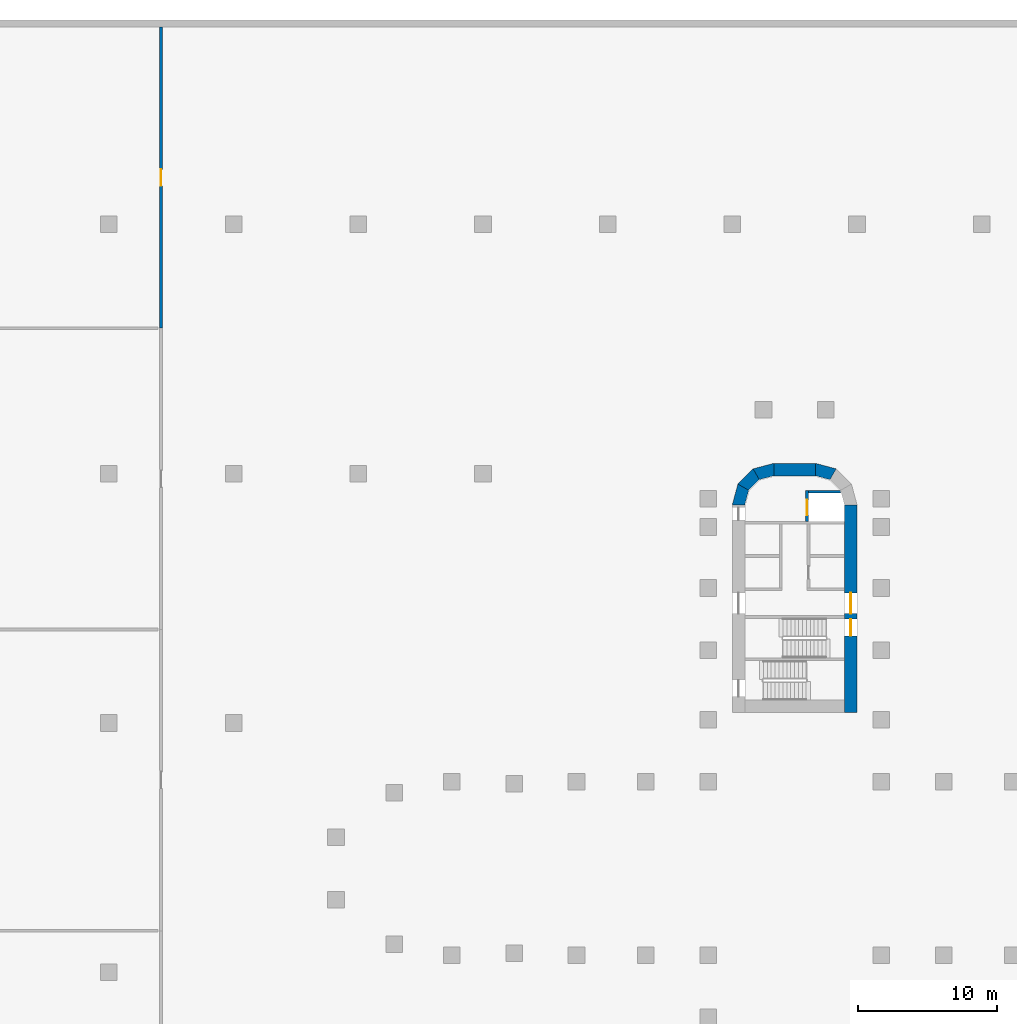
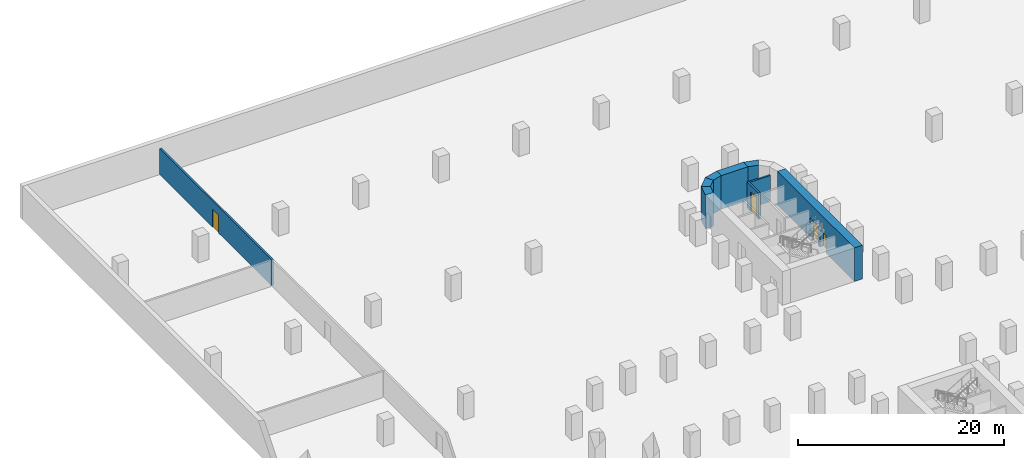
# One storey, part 9 of 11: 9 walls, 4 doors, 4 openings.
"""IFC4 building model written with IfcOpenShell, lengths in metres."""

from ifc_helpers import new_model, si_unit, direction, frame, frame_2d, origin, place, context, subcontext, project, spatial, polyline, rectangle, outline, extrude, material, layer, layer_set, type_object, element, fill, save


model = new_model("IFC4")

# Units and contexts
model_context = context("Model", 3, precision=1e-05, world=origin(), true_north=direction((0.0, 1.0)))
body_context = subcontext(model_context, "Body", "Model", "MODEL_VIEW")
ifc_project = project(units=[si_unit("LENGTHUNIT", "METRE"), si_unit("AREAUNIT", "SQUARE_METRE"), si_unit("VOLUMEUNIT", "CUBIC_METRE"), si_unit("PLANEANGLEUNIT", "RADIAN"), si_unit("MASSUNIT", "GRAM", prefix="KILO")], contexts=[model_context])

# Site, building, storey
site_placement = place(None, origin())
site = spatial("IfcSite", under=ifc_project, at=site_placement, CompositionType="ELEMENT")
building_placement = place(site_placement, origin())
building = spatial("IfcBuilding", under=site, at=building_placement, Name="Zarbagh Exchange Tower", CompositionType="ELEMENT")
storey_placement = place(building_placement, frame((0.0, 0.0, -4.0)))
storey = spatial("IfcBuildingStorey", under=building, at=storey_placement, Name="B1", CompositionType="ELEMENT", Elevation=-4.0)

# Wall, opening, door
ifc_material_1 = material(Name="Concrete block partition", Category="concrete")
ifc_layer_1 = layer(ifc_material_1, 0.199951171875)
ifc_layer_set_1 = layer_set([ifc_layer_1], Name="Fire-rated block partition 200 EI 120")
wall_type_1 = type_object("IfcWallType", Name="Fire-rated block partition 200 EI 120", PredefinedType="PARTITIONING", material=ifc_layer_set_1)
wall_1_placement = place(storey_placement, frame((-45.75, 39.0, 0.0), z_axis=(0.0, 0.0, 1.0), x_axis=(0.0, 1.0, 0.0)))
wall_1 = element("IfcWall", 1, at=wall_1_placement, inside=storey, type_object=wall_type_1, Name="WL-B1-W006", PredefinedType="PARTITIONING", context=body_context, shape_type="SweptSolid", body=[
    extrude(rectangle(XDim=21.75, YDim=0.199951171875, at=frame_2d((10.875, 0.0))), origin(), (0.0, 0.0, 1.0), 3.10009765625),
])
opening_1_placement = place(wall_1_placement, frame((10.27490234375, 0.0, 0.0)))
opening_1 = element("IfcOpeningElement", 2, at=opening_1_placement, cuts=wall_1, Name="Opening D44", PredefinedType="OPENING", context=body_context, shape_type="SweptSolid", body=[
    extrude(rectangle(XDim=1.199951171875, YDim=2.10009765625, at=frame_2d((0.60009765625, 1.050048828125))), frame((0.0, 0.10986328125, 0.0), z_axis=(0.0, -1.0, 0.0), x_axis=(1.0, 0.0, 0.0)), (0.0, 0.0, 1.0), 0.219970703125),
])
ifc_material_2 = material(Name="Steel door set", Category="steel")
door_type_1 = type_object("IfcDoorType", Name="Door single 1200x2100 EI 120", OperationType="SINGLE_SWING_LEFT", PredefinedType="DOOR", material=ifc_material_2)
door_1_placement = place(opening_1_placement, origin())
door_1 = element("IfcDoor", 3, at=door_1_placement, inside=storey, type_object=door_type_1, Name="D06", OperationType="SINGLE_SWING_LEFT", OverallHeight=2.10009765625, OverallWidth=1.199951171875, PredefinedType="DOOR", context=body_context, shape_type="SweptSolid", body=[
    extrude(rectangle(XDim=1.199951171875, YDim=2.10009765625, at=frame_2d((0.60009765625, 1.050048828125))), frame((0.0, 0.02490234375, 0.0), z_axis=(0.0, -1.0, 0.0), x_axis=(1.0, 0.0, 0.0)), (0.0, 0.0, 1.0), 0.050048828125),
])
fill(opening_1, door_1)

# Walls
ifc_material_3 = material(Name="Concrete C60/75", Category="concrete")
ifc_layer_2 = layer(ifc_material_3, 0.89990234375)
ifc_layer_set_2 = layer_set([ifc_layer_2], Name="RC core corner wall 900 C60/75")
wall_type_2 = type_object("IfcWallType", Name="RC core corner wall 900 C60/75", PredefinedType="SHEAR", material=ifc_layer_set_2)
wall_2_placement = place(storey_placement, origin())
element("IfcWall", 4, at=wall_2_placement, inside=storey, type_object=wall_type_2, Name="CW2 core N corner W", PredefinedType="SHEAR", context=body_context, shape_type="SweptSolid", body=[
    extrude(outline(polyline([(-4.5, 26.25), (-4.09814453125, 27.75), (-3.318603515625, 27.300048828125), (-3.60009765625, 26.25), (-4.5, 26.25)])), origin(), (0.0, 0.0, 1.0), 4.0),
])
wall_3_placement = place(storey_placement, origin())
element("IfcWall", 5, at=wall_3_placement, inside=storey, type_object=wall_type_2, Name="CW2 core N corner W", PredefinedType="SHEAR", context=body_context, shape_type="SweptSolid", body=[
    extrude(outline(polyline([(-4.09814453125, 27.75), (-3.0, 28.84814453125), (-2.550048828125, 28.068603515625), (-3.318603515625, 27.300048828125), (-4.09814453125, 27.75)])), origin(), (0.0, 0.0, 1.0), 4.0),
])
wall_4_placement = place(storey_placement, origin())
element("IfcWall", 6, at=wall_4_placement, inside=storey, type_object=wall_type_2, Name="CW2 core N corner W", PredefinedType="SHEAR", context=body_context, shape_type="SweptSolid", body=[
    extrude(outline(polyline([(-3.0, 28.84814453125), (-1.5, 29.25), (-1.5, 28.35009765625), (-2.550048828125, 28.068603515625), (-3.0, 28.84814453125)])), origin(), (0.0, 0.0, 1.0), 4.0),
])
wall_5_placement = place(storey_placement, origin())
element("IfcWall", 7, at=wall_5_placement, inside=storey, type_object=wall_type_2, Name="CW2 core N corner E", PredefinedType="SHEAR", context=body_context, shape_type="SweptSolid", body=[
    extrude(outline(polyline([(3.0, 28.84814453125), (1.5, 29.25), (1.5, 28.35009765625), (2.550048828125, 28.068603515625), (3.0, 28.84814453125)])), origin(), (0.0, 0.0, 1.0), 4.0),
])

# Wall, openings, doors
ifc_layer_3 = layer(ifc_material_3, 0.89990234375)
ifc_layer_set_3 = layer_set([ifc_layer_3], Name="RC core wall 900 C60/75")
wall_type_3 = type_object("IfcWallType", Name="RC core wall 900 C60/75", PredefinedType="SHEAR", material=ifc_layer_set_3)
wall_6_placement = place(storey_placement, frame((4.050048828125, 11.25, 0.0), z_axis=(0.0, 0.0, 1.0), x_axis=(0.0, 1.0, 0.0)))
wall_6 = element("IfcWall", 8, at=wall_6_placement, inside=storey, type_object=wall_type_3, Name="CW1 core N E", PredefinedType="SHEAR", context=body_context, shape_type="SweptSolid", body=[
    extrude(rectangle(XDim=15.0, YDim=0.89990234375, at=frame_2d((7.5, 0.0))), origin(), (0.0, 0.0, 1.0), 4.0),
])
opening_2_placement = place(wall_6_placement, frame((7.14990234375, 0.0, 0.0)))
opening_2 = element("IfcOpeningElement", 9, at=opening_2_placement, cuts=wall_6, Name="Opening CD1-1500", PredefinedType="OPENING", context=body_context, shape_type="SweptSolid", body=[
    extrude(rectangle(XDim=1.5, YDim=2.300048828125, at=frame_2d((0.75, 1.14990234375))), frame((0.0, 0.4599609375, 0.0), z_axis=(0.0, -1.0, 0.0), x_axis=(1.0, 0.0, 0.0)), (0.0, 0.0, 1.0), 0.919921875),
])
opening_3_placement = place(wall_6_placement, frame((5.550048828125, 0.0, 0.0)))
opening_3 = element("IfcOpeningElement", 10, at=opening_3_placement, cuts=wall_6, Name="Opening SD1-1200", PredefinedType="OPENING", context=body_context, shape_type="SweptSolid", body=[
    extrude(rectangle(XDim=1.199951171875, YDim=2.10009765625, at=frame_2d((0.60009765625, 1.050048828125))), frame((0.0, 0.4599609375, 0.0), z_axis=(0.0, -1.0, 0.0), x_axis=(1.0, 0.0, 0.0)), (0.0, 0.0, 1.0), 0.919921875),
])
ifc_material_4 = material(Name="Steel", Category="steel")
door_type_2 = type_object("IfcDoorType", Name="Exit stair door 1200 x 2100", OperationType="NOTDEFINED", PredefinedType="DOOR", material=ifc_material_4)
door_2_placement = place(opening_3_placement, origin())
door_2 = element("IfcDoor", 11, at=door_2_placement, inside=storey, type_object=door_type_2, Name="North core stair door ST1", OperationType="SINGLE_SWING_RIGHT", OverallHeight=2.10009765625, OverallWidth=1.199951171875, PredefinedType="DOOR", context=body_context, shape_type="SweptSolid", body=[
    extrude(rectangle(XDim=1.199951171875, YDim=2.10009765625, at=frame_2d((0.60009765625, 1.050048828125))), frame((0.0, 0.02490234375, 0.0), z_axis=(0.0, -1.0, 0.0), x_axis=(1.0, 0.0, 0.0)), (0.0, 0.0, 1.0), 0.050048828125),
])
fill(opening_3, door_2)
door_type_3 = type_object("IfcDoorType", Name="Lift lobby double door 1500 x 2300", OperationType="NOTDEFINED", PredefinedType="DOOR", material=ifc_material_4)
door_3_placement = place(opening_2_placement, origin())
door_3 = element("IfcDoor", 12, at=door_3_placement, inside=storey, type_object=door_type_3, Name="North core lift lobby door LOBBY-E", OperationType="DOUBLE_DOOR_SINGLE_SWING", OverallHeight=2.300048828125, OverallWidth=1.5, PredefinedType="DOOR", context=body_context, shape_type="SweptSolid", body=[
    extrude(rectangle(XDim=1.5, YDim=2.300048828125, at=frame_2d((0.75, 1.14990234375))), frame((0.0, 0.02490234375, 0.0), z_axis=(0.0, -1.0, 0.0), x_axis=(1.0, 0.0, 0.0)), (0.0, 0.0, 1.0), 0.050048828125),
])
fill(opening_2, door_3)

# Wall
wall_7_placement = place(storey_placement, frame((-1.5, 28.800048828125, 0.0), z_axis=(0.0, 0.0, 1.0), x_axis=(1.0, 0.0, 0.0)))
element("IfcWall", 13, at=wall_7_placement, inside=storey, type_object=wall_type_3, Name="CW1 core N outer end", PredefinedType="SHEAR", context=body_context, shape_type="SweptSolid", body=[
    extrude(rectangle(XDim=3.0, YDim=0.89990234375, at=frame_2d((1.5, 0.0))), origin(), (0.0, 0.0, 1.0), 4.0),
])

# Wall, opening, door
ifc_material_5 = material(Name="Concrete C40/50", Category="concrete")
ifc_layer_4 = layer(ifc_material_5, 0.199951171875)
ifc_layer_set_4 = layer_set([ifc_layer_4], Name="Stair enclosure wall 200 mm RC C40/50")
wall_type_4 = type_object("IfcWallType", Name="Stair enclosure wall 200 mm RC C40/50", PredefinedType="SHEAR", material=ifc_layer_set_4)
wall_8_placement = place(storey_placement, frame((0.89990234375, 27.300048828125, 0.0), z_axis=(0.0, 0.0, 1.0), x_axis=(0.0, -1.0, 0.0)))
wall_8 = element("IfcWall", 14, at=wall_8_placement, inside=storey, type_object=wall_type_4, Name="North core lift shaft wall FFL", PredefinedType="SHEAR", context=body_context, shape_type="SweptSolid", body=[
    extrude(rectangle(XDim=2.25, YDim=0.199951171875, at=frame_2d((1.125, 0.0))), origin(), (0.0, 0.0, 1.0), 3.10009765625),
])
opening_4_placement = place(wall_8_placement, frame((0.699951171875, 0.0, 0.0)))
opening_4 = element("IfcOpeningElement", 15, at=opening_4_placement, cuts=wall_8, Name="Opening LD-1100", PredefinedType="OPENING", context=body_context, shape_type="SweptSolid", body=[
    extrude(rectangle(XDim=1.10009765625, YDim=2.300048828125, at=frame_2d((0.550048828125, 1.14990234375))), frame((0.0, 0.10986328125, 0.0), z_axis=(0.0, -1.0, 0.0), x_axis=(1.0, 0.0, 0.0)), (0.0, 0.0, 1.0), 0.219970703125),
])
ifc_material_6 = material(Name="Stainless steel", Category="steel")
door_type_4 = type_object("IfcDoorType", Name="Lift landing door 1100 x 2300", OperationType="NOTDEFINED", PredefinedType="DOOR", material=ifc_material_6)
door_4_placement = place(opening_4_placement, origin())
door_4 = element("IfcDoor", 16, at=door_4_placement, inside=storey, type_object=door_type_4, Name="North core lift landing door LD-F", OperationType="DOUBLE_DOOR_SLIDING", OverallHeight=2.300048828125, OverallWidth=1.10009765625, PredefinedType="DOOR", context=body_context, shape_type="SweptSolid", body=[
    extrude(rectangle(XDim=1.10009765625, YDim=2.300048828125, at=frame_2d((0.550048828125, 1.14990234375))), frame((0.0, 0.02490234375, 0.0), z_axis=(0.0, -1.0, 0.0), x_axis=(1.0, 0.0, 0.0)), (0.0, 0.0, 1.0), 0.050048828125),
])
fill(opening_4, door_4)

# Wall
wall_9_placement = place(storey_placement, origin())
element("IfcWall", 17, at=wall_9_placement, inside=storey, type_object=wall_type_4, Name="North core lift shaft wall FFX", PredefinedType="SHEAR", context=body_context, shape_type="SweptSolid", body=[
    extrude(outline(polyline([(1.0, 27.10009765625), (3.340576171875, 27.10009765625), (3.291259765625, 27.2841796875), (3.275390625, 27.300048828125), (1.0, 27.300048828125), (1.0, 27.10009765625)])), origin(), (0.0, 0.0, 1.0), 3.10009765625),
])

save(model, "model.ifc")
